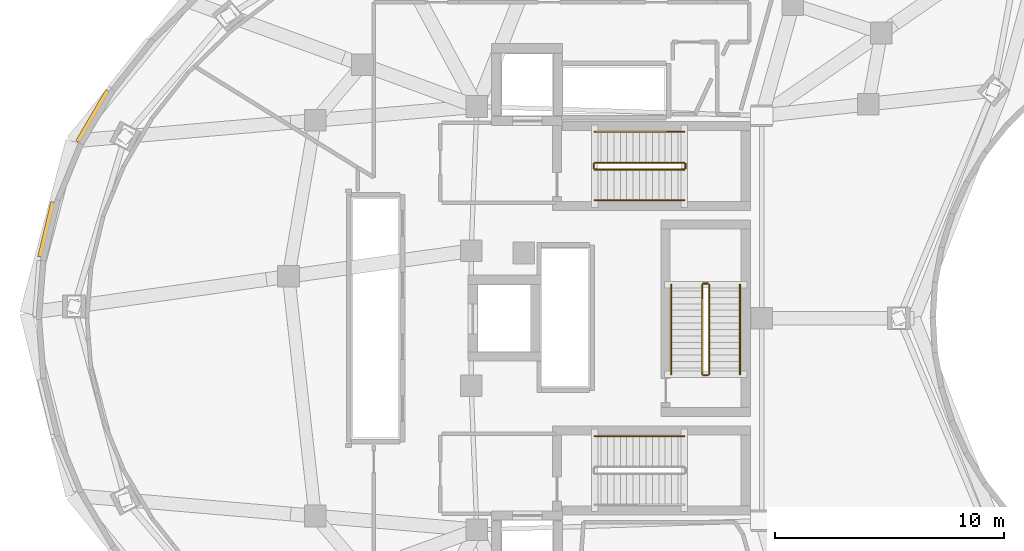
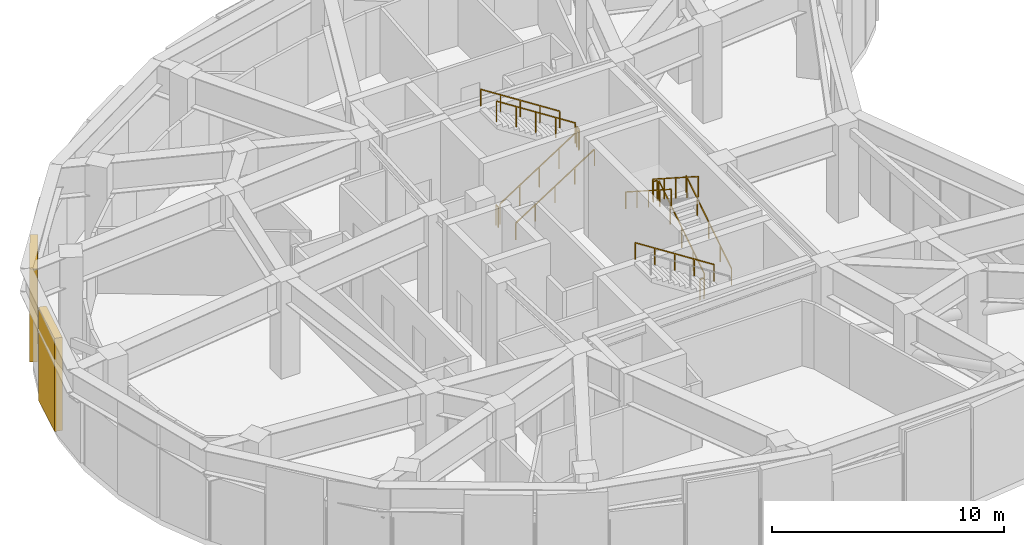
# One storey, part 9 of 10: 13 railings, 2 shading devices.
"""IFC4 building model written with IfcOpenShell, lengths in metres."""

import ifcopenshell
import ifcopenshell.guid

model = None  # the IFC model being written
_history = None  # IfcOwnerHistory: only IFC2X3 demands one
_inside = {}  # id of a spatial element -> (the spatial element, [elements in it])
_under = {}  # id of a project, library or spatial element -> (it, [spatial elements below it])
_declared = {}  # id of a project -> (the project, [libraries it declares])
_typed = {}  # id of a type object -> (the type object, [elements of that type])
_made_of = {}  # id of a material, layer set ... -> (it, [elements and type objects made of it])


def new_model(schema):
    """Start an empty IFC model of exactly this schema.

    Asked for "IFC4X3", IfcOpenShell would pick the latest addendum, in which some entities
    have other attributes; the version numbers below select the first issue.
    IFC2X3 requires an IfcOwnerHistory on every rooted entity: one is made here for all.
    """
    global model, _history
    if schema == "IFC4X3":
        model = ifcopenshell.file(schema_version=(4, 3, 0, 0))
    else:
        model = ifcopenshell.file(schema=schema)
    _inside.clear()
    _under.clear()
    _declared.clear()
    _typed.clear()
    _made_of.clear()
    _history = None
    if model.schema == "IFC2X3":
        org = make("IfcOrganization", Name="unknown")
        user = make(
            "IfcPersonAndOrganization",
            ThePerson=make("IfcPerson", FamilyName="unknown"),
            TheOrganization=org,
        )
        app = make(
            "IfcApplication",
            ApplicationDeveloper=org,
            Version="unknown",
            ApplicationFullName="unknown",
            ApplicationIdentifier="unknown",
        )
        _history = make(
            "IfcOwnerHistory",
            OwningUser=user,
            OwningApplication=app,
            ChangeAction="ADDED",
            CreationDate=0,
        )
    return model


def make(cls, **values):
    """One entity of the class cls with the attributes given. An attribute that is None is left unset."""
    return model.create_entity(
        cls, **{name: value for name, value in values.items() if value is not None}
    )


def rooted(cls, **values):
    """An entity with a GlobalId (a new one), such as an element, a storey or a relation."""
    return make(cls, GlobalId=ifcopenshell.guid.new(), OwnerHistory=_history, **values)


def si_unit(unit_type, name, prefix=None):
    """IfcSIUnit, for example si_unit("LENGTHUNIT", "METRE", prefix="MILLI")."""
    return make("IfcSIUnit", UnitType=unit_type, Prefix=prefix, Name=name)


def assignment(units):
    """IfcUnitAssignment: the units of a project."""
    return None if units is None else make("IfcUnitAssignment", Units=units)


def point(xyz):
    """IfcCartesianPoint."""
    return None if xyz is None else make("IfcCartesianPoint", Coordinates=xyz)


def direction(xyz):
    """IfcDirection."""
    return None if xyz is None else make("IfcDirection", DirectionRatios=xyz)


def frame(location, z_axis=None, x_axis=None):
    """IfcAxis2Placement3D, a coordinate frame: its origin and axes. An axis left out is left unset."""
    return make(
        "IfcAxis2Placement3D",
        Location=point(location),
        Axis=direction(z_axis),
        RefDirection=direction(x_axis),
    )


def frame_2d(location, x_axis=None):
    """IfcAxis2Placement2D, a coordinate frame in the plane: its origin and x axis."""
    return make(
        "IfcAxis2Placement2D", Location=point(location), RefDirection=direction(x_axis)
    )


def origin():
    """The frame at (0, 0, 0) with its axes left unset."""
    return frame((0.0, 0.0, 0.0))


def origin_2d():
    """The frame at (0, 0) in the plane with its x axis left unset."""
    return frame_2d((0.0, 0.0))


def place(relative_to, where):
    """IfcLocalPlacement: puts the frame where relative to a parent placement (None: the world)."""
    return make(
        "IfcLocalPlacement", PlacementRelTo=relative_to, RelativePlacement=where
    )


def context(
    kind, dimensions, precision=None, world=None, true_north=None, identifier=None
):
    """IfcGeometricRepresentationContext, for example the 3D "Model" context."""
    return make(
        "IfcGeometricRepresentationContext",
        ContextIdentifier=identifier,
        ContextType=kind,
        CoordinateSpaceDimension=dimensions,
        Precision=precision,
        WorldCoordinateSystem=world,
        TrueNorth=true_north,
    )


def subcontext(parent, identifier, kind, view, scale=None):
    """IfcGeometricRepresentationSubContext, for example "Body" below "Model"."""
    return make(
        "IfcGeometricRepresentationSubContext",
        ContextIdentifier=identifier,
        ContextType=kind,
        ParentContext=parent,
        TargetScale=scale,
        TargetView=view,
    )


def project(units=None, contexts=None):
    """IfcProject with its units and contexts."""
    return rooted(
        "IfcProject",
        Name="project",
        RepresentationContexts=contexts,
        UnitsInContext=assignment(units),
    )


def spatial(cls, under=None, at=None, **own):
    """A site, building, storey or space (cls), placed at a placement, below another one or the project."""
    s = rooted(cls, ObjectPlacement=at, **own)
    if under is not None:
        _under.setdefault(under.id(), (under, []))[1].append(s)
    return s


def profile(cls, at=None, kind="AREA", **sizes):
    """A parametric profile (cls). Its sizes go by their IFC names, for example OverallWidth=200.0."""
    return make(cls, ProfileType=kind, Position=at, **sizes)


def rectangle(**sizes):
    """IfcRectangleProfileDef."""
    return profile("IfcRectangleProfileDef", **sizes)


def extrude(swept, where, along, depth):
    """IfcExtrudedAreaSolid: the profile swept, set in the frame where, extruded along a direction by depth."""
    return make(
        "IfcExtrudedAreaSolid",
        SweptArea=swept,
        Position=where,
        ExtrudedDirection=direction(along),
        Depth=depth,
    )


def shape(context_of_items, identifier, shape_type, items):
    """IfcShapeRepresentation: the items that make up one representation, for example the "Body"."""
    return make(
        "IfcShapeRepresentation",
        ContextOfItems=context_of_items,
        RepresentationIdentifier=identifier,
        RepresentationType=shape_type,
        Items=items,
    )


def material(Name=None, Category=None):
    """IfcMaterial."""
    return make("IfcMaterial", Name=Name, Category=Category)


def layer(
    of_material, thickness, ventilated=None, Name=None, Category=None, Priority=None
):
    """IfcMaterialLayer: one layer of a wall or slab, of a material (None: an air gap)."""
    return make(
        "IfcMaterialLayer",
        Material=of_material,
        LayerThickness=thickness,
        IsVentilated=ventilated,
        Name=Name,
        Category=Category,
        Priority=Priority,
    )


def layer_set(layers, Name=None):
    """IfcMaterialLayerSet."""
    return make("IfcMaterialLayerSet", MaterialLayers=layers, LayerSetName=Name)


def made_of(thing, what):
    """Note that an element or type object is made of a material, layer set ...; save() writes the relation."""
    if what is not None:
        _made_of.setdefault(what.id(), (what, []))[1].append(thing)
    return thing


def type_object(cls, material=None, **own):
    """A type object (cls), such as IfcWallType, which elements share."""
    return made_of(rooted(cls, **own), material)


def element(
    cls,
    number,
    at=None,
    inside=None,
    cuts=None,
    type_object=None,
    material=None,
    context=None,
    identifier="Body",
    shape_type=None,
    held_by="IfcProductDefinitionShape",
    body=None,
    shapes=None,
    **own,
):
    """One element of the class cls, such as IfcWall. Its Tag is "e" and its number.

    at: its placement. inside: the storey or other place that contains it. cuts: it is an
    opening in that element (IfcRelVoidsElement). A single representation is given by context,
    identifier, shape_type and body (its items); several are given by shapes. held_by: the class
    of the entity that holds the representations. save() writes the other relations.
    """
    e = rooted(cls, Tag="e%d" % number, ObjectPlacement=at, **own)
    if body is not None:
        shapes = [shape(context, identifier, shape_type, body)]
    if shapes is not None:
        e.Representation = make(held_by, Representations=shapes)
    if inside is not None:
        _inside.setdefault(inside.id(), (inside, []))[1].append(e)
    if cuts is not None:
        rooted(
            "IfcRelVoidsElement", RelatingBuildingElement=cuts, RelatedOpeningElement=e
        )
    if type_object is not None:
        _typed.setdefault(type_object.id(), (type_object, []))[1].append(e)
    return made_of(e, material)


def aggregate(whole, parts):
    """IfcRelAggregates: a whole, such as a stair, and the parts it consists of."""
    return rooted("IfcRelAggregates", RelatingObject=whole, RelatedObjects=parts)


def save(model, path):
    """Write the relations noted so far, then the file.

    IfcRelAggregates (storeys below a building ...), IfcRelContainedInSpatialStructure (elements
    in a storey), IfcRelDefinesByType, IfcRelAssociatesMaterial and IfcRelDeclares: one each for
    every whole, place, type object, material and project.
    """
    for whole, parts in _under.values():
        aggregate(whole, parts)
    for where, things in _inside.values():
        rooted(
            "IfcRelContainedInSpatialStructure",
            RelatedElements=things,
            RelatingStructure=where,
        )
    for kind, things in _typed.values():
        rooted("IfcRelDefinesByType", RelatedObjects=things, RelatingType=kind)
    for what, things in _made_of.values():
        rooted("IfcRelAssociatesMaterial", RelatedObjects=things, RelatingMaterial=what)
    for by, libraries in _declared.values():
        rooted("IfcRelDeclares", RelatingContext=by, RelatedDefinitions=libraries)
    model.write(path)


model = new_model("IFC4")

# Units and contexts
model_context = context("Model", 3, precision=1e-05, world=origin(), true_north=direction((0.0, 1.0)))
body_context = subcontext(model_context, "Body", "Model", "MODEL_VIEW")
ifc_project = project(units=[si_unit("LENGTHUNIT", "METRE"), si_unit("AREAUNIT", "SQUARE_METRE"), si_unit("VOLUMEUNIT", "CUBIC_METRE"), si_unit("PLANEANGLEUNIT", "RADIAN"), si_unit("MASSUNIT", "GRAM", prefix="KILO")], contexts=[model_context])

# Site, building, storey
site_placement = place(None, origin())
site = spatial("IfcSite", under=ifc_project, at=site_placement, CompositionType="ELEMENT")
building_placement = place(site_placement, origin())
building = spatial("IfcBuilding", under=site, at=building_placement, Name="Korentha Bioscience Tower", CompositionType="ELEMENT")
storey_placement = place(building_placement, frame((0.0, 0.0, 213.0)))
storey = spatial("IfcBuildingStorey", under=building, at=storey_placement, Name="L49", CompositionType="ELEMENT", Elevation=213.0)

# Shading devices
ifc_material_1 = material(Name="Powder-Coated Aluminium Louvre", Category="aluminium")
ifc_layer = layer(ifc_material_1, 0.1201171875, Name="Powder-Coated Aluminium Louvre")
ifc_layer_set = layer_set([ifc_layer], Name="Powder-Coated Aluminium Louvre (LV-350)")
shading_device_type = type_object("IfcShadingDeviceType", Name="Acoustic Weatherproof Aluminium Plant Louvre 350", PredefinedType="USERDEFINED", material=ifc_layer_set)
shading_device_1_placement = place(storey_placement, frame((8.380126953125, 35.795166015625, 0.10009765625), z_axis=(0.0, 0.0, 1.0), x_axis=(-0.508052821431, -0.861325914295, 0.0)))
element("IfcShadingDevice", 1, at=shading_device_1_placement, inside=storey, type_object=shading_device_type, Name="L49 Acoustic Plant Louvre 15", ObjectType="LOUVRE", PredefinedType="USERDEFINED", context=body_context, shape_type="SweptSolid", body=[
    extrude(rectangle(XDim=2.589599609375, YDim=0.35009765625, at=origin_2d()), origin(), (0.0, 0.0, 1.0), 4.89990234375),
])
shading_device_2_placement = place(storey_placement, frame((6.364501953125, 30.86181640625, 0.10009765625), z_axis=(0.0, 0.0, 1.0), x_axis=(-0.233643779701, -0.972322263556, 0.0)))
element("IfcShadingDevice", 2, at=shading_device_2_placement, inside=storey, type_object=shading_device_type, Name="L49 Acoustic Plant Louvre 17", ObjectType="LOUVRE", PredefinedType="USERDEFINED", context=body_context, shape_type="SweptSolid", body=[
    extrude(rectangle(XDim=2.46533203125, YDim=0.35009765625, at=origin_2d()), origin(), (0.0, 0.0, 1.0), 4.89990234375),
])

# Railings
ifc_material_2 = material(Name="Stainless Steel 304", Category="steel")
railing_type_1 = type_object("IfcRailingType", Name="Brushed Stainless Stair Handrail 900", PredefinedType="HANDRAIL", material=ifc_material_2)
railing_1_placement = place(storey_placement, frame((30.25, 32.14990234375, 0.179931640625)))
element("IfcRailing", 3, at=railing_1_placement, inside=storey, type_object=railing_type_1, Name="L49 ST-1 stair handrail 1", PredefinedType="HANDRAIL", context=body_context, shape_type="SweptSolid", body=[
    extrude(rectangle(XDim=0.048095703125, YDim=0.048095703125, at=origin_2d()), frame((0.0, 0.0, 0.8759765625), z_axis=(0.841171666519, 0.0, 0.540768182723), x_axis=(0.0, 1.0, 0.0)), (0.0, 0.0, 1.0), 4.66015625),
    extrude(rectangle(XDim=0.0419921875, YDim=0.0419921875, at=origin_2d()), origin(), (0.0, 0.0, 1.0), 0.851806640625),
    extrude(rectangle(XDim=0.0419921875, YDim=0.0419921875, at=origin_2d()), frame((0.97998046875, 0.0, 0.6298828125)), (0.0, 0.0, 1.0), 0.851806640625),
    extrude(rectangle(XDim=0.0419921875, YDim=0.0419921875, at=origin_2d()), frame((1.9599609375, 0.0, 1.260009765625)), (0.0, 0.0, 1.0), 0.851806640625),
    extrude(rectangle(XDim=0.0419921875, YDim=0.0419921875, at=origin_2d()), frame((2.93994140625, 0.0, 1.89013671875)), (0.0, 0.0, 1.0), 0.851806640625),
    extrude(rectangle(XDim=0.0419921875, YDim=0.0419921875, at=origin_2d()), frame((3.919921875, 0.0, 2.52001953125)), (0.0, 0.0, 1.0), 0.851806640625),
])
for number, where, name in (
    (4, (34.169921875, 35.14990234375, 2.8798828125), "L49 ST-1 stair handrail 2"),
    (5, (34.169921875, 21.85009765625, 2.8798828125), "L49 ST-2 stair handrail 2"),
):
    element("IfcRailing", number, at=place(storey_placement, frame(where)), inside=storey, type_object=railing_type_1, Name=name, PredefinedType="HANDRAIL", context=body_context, shape_type="SweptSolid", body=[
        extrude(rectangle(XDim=0.048095703125, YDim=0.048095703125, at=origin_2d()), frame((0.0, 0.0, 0.8759765625), z_axis=(-0.841171666519, 0.0, 0.540768182723), x_axis=(0.0, -1.0, 0.0)), (0.0, 0.0, 1.0), 4.66015625),
        extrude(rectangle(XDim=0.0419921875, YDim=0.0419921875, at=origin_2d()), origin(), (0.0, 0.0, 1.0), 0.851806640625),
        extrude(rectangle(XDim=0.0419921875, YDim=0.0419921875, at=origin_2d()), frame((-0.97998046875, 0.0, 0.6298828125)), (0.0, 0.0, 1.0), 0.851806640625),
        extrude(rectangle(XDim=0.0419921875, YDim=0.0419921875, at=origin_2d()), frame((-1.9599609375, 0.0, 1.260009765625)), (0.0, 0.0, 1.0), 0.851806640625),
        extrude(rectangle(XDim=0.0419921875, YDim=0.0419921875, at=origin_2d()), frame((-2.93994140625, 0.0, 1.89013671875)), (0.0, 0.0, 1.0), 0.851806640625),
        extrude(rectangle(XDim=0.0419921875, YDim=0.0419921875, at=origin_2d()), frame((-3.919921875, 0.0, 2.52001953125)), (0.0, 0.0, 1.0), 0.851806640625),
    ])
railing_2_placement = place(storey_placement, frame((36.60009765625, 24.550048828125, 0.179931640625)))
element("IfcRailing", 6, at=railing_2_placement, inside=storey, type_object=railing_type_1, Name="L49 ST-3 stair handrail 1", PredefinedType="HANDRAIL", context=body_context, shape_type="SweptSolid", body=[
    extrude(rectangle(XDim=0.048095703125, YDim=0.048095703125, at=origin_2d()), frame((0.0, 0.0, 0.8759765625), z_axis=(0.0, 0.841171666519, 0.540768182723), x_axis=(-1.0, 0.0, 0.0)), (0.0, 0.0, 1.0), 4.66015625),
    extrude(rectangle(XDim=0.0419921875, YDim=0.0419921875, at=origin_2d()), origin(), (0.0, 0.0, 1.0), 0.851806640625),
    extrude(rectangle(XDim=0.0419921875, YDim=0.0419921875, at=origin_2d()), frame((0.0, 0.97998046875, 0.6298828125)), (0.0, 0.0, 1.0), 0.851806640625),
    extrude(rectangle(XDim=0.0419921875, YDim=0.0419921875, at=origin_2d()), frame((0.0, 1.9599609375, 1.260009765625)), (0.0, 0.0, 1.0), 0.851806640625),
    extrude(rectangle(XDim=0.0419921875, YDim=0.0419921875, at=origin_2d()), frame((0.0, 2.93994140625, 1.89013671875)), (0.0, 0.0, 1.0), 0.851806640625),
    extrude(rectangle(XDim=0.0419921875, YDim=0.0419921875, at=origin_2d()), frame((0.0, 3.919921875, 2.52001953125)), (0.0, 0.0, 1.0), 0.851806640625),
])
railing_3_placement = place(storey_placement, frame((33.60009765625, 28.469970703125, 2.8798828125)))
element("IfcRailing", 7, at=railing_3_placement, inside=storey, type_object=railing_type_1, Name="L49 ST-3 stair handrail 2", PredefinedType="HANDRAIL", context=body_context, shape_type="SweptSolid", body=[
    extrude(rectangle(XDim=0.048095703125, YDim=0.048095703125, at=origin_2d()), frame((0.0, 0.0, 0.8759765625), z_axis=(0.0, -0.841171666519, 0.540768182723), x_axis=(1.0, 0.0, 0.0)), (0.0, 0.0, 1.0), 4.66015625),
    extrude(rectangle(XDim=0.0419921875, YDim=0.0419921875, at=origin_2d()), origin(), (0.0, 0.0, 1.0), 0.851806640625),
    extrude(rectangle(XDim=0.0419921875, YDim=0.0419921875, at=origin_2d()), frame((0.0, -0.97998046875, 0.6298828125)), (0.0, 0.0, 1.0), 0.851806640625),
    extrude(rectangle(XDim=0.0419921875, YDim=0.0419921875, at=origin_2d()), frame((0.0, -1.9599609375, 1.260009765625)), (0.0, 0.0, 1.0), 0.851806640625),
    extrude(rectangle(XDim=0.0419921875, YDim=0.0419921875, at=origin_2d()), frame((0.0, -2.93994140625, 1.89013671875)), (0.0, 0.0, 1.0), 0.851806640625),
    extrude(rectangle(XDim=0.0419921875, YDim=0.0419921875, at=origin_2d()), frame((0.0, -3.919921875, 2.52001953125)), (0.0, 0.0, 1.0), 0.851806640625),
])
ifc_material_3 = material(Name="Painted Steel S275", Category="steel")
railing_type_2 = type_object("IfcRailingType", Name="Painted Steel Stair Well Guardrail 1100", PredefinedType="GUARDRAIL", material=ifc_material_3)
railing_4_placement = place(storey_placement, frame((30.25, 33.5, 0.179931640625)))
element("IfcRailing", 8, at=railing_4_placement, inside=storey, type_object=railing_type_2, Name="L49 ST-1 stair guard 1", PredefinedType="GUARDRAIL", context=body_context, shape_type="SweptSolid", body=[
    extrude(rectangle(XDim=0.048095703125, YDim=0.048095703125, at=origin_2d()), frame((0.0, 0.0, 1.076171875), z_axis=(0.841171666519, 0.0, 0.540768182723), x_axis=(0.0, 1.0, 0.0)), (0.0, 0.0, 1.0), 4.66015625),
    extrude(rectangle(XDim=0.0419921875, YDim=0.0419921875, at=origin_2d()), origin(), (0.0, 0.0, 1.0), 1.052001953125),
    extrude(rectangle(XDim=0.0419921875, YDim=0.0419921875, at=origin_2d()), frame((0.97998046875, 0.0, 0.6298828125)), (0.0, 0.0, 1.0), 1.052001953125),
    extrude(rectangle(XDim=0.0419921875, YDim=0.0419921875, at=origin_2d()), frame((1.9599609375, 0.0, 1.260009765625)), (0.0, 0.0, 1.0), 1.052001953125),
    extrude(rectangle(XDim=0.0419921875, YDim=0.0419921875, at=origin_2d()), frame((2.93994140625, 0.0, 1.89013671875)), (0.0, 0.0, 1.0), 1.052001953125),
    extrude(rectangle(XDim=0.0419921875, YDim=0.0419921875, at=origin_2d()), frame((3.919921875, 0.0, 2.52001953125)), (0.0, 0.0, 1.0), 1.052001953125),
])
railing_5_placement = place(storey_placement, frame((34.219970703125, 33.550048828125, 2.699951171875)))
element("IfcRailing", 9, at=railing_5_placement, inside=storey, type_object=railing_type_2, Name="L49 ST-1 stair guard 2", PredefinedType="GUARDRAIL", context=body_context, shape_type="SweptSolid", body=[
    extrude(rectangle(XDim=0.048095703125, YDim=0.048095703125, at=origin_2d()), frame((0.0, 0.0, 1.076171875), z_axis=(0.0, 1.0, 0.0), x_axis=(-1.0, 0.0, 0.0)), (0.0, 0.0, 1.0), 0.199951171875),
    extrude(rectangle(XDim=0.0419921875, YDim=0.0419921875, at=origin_2d()), origin(), (0.0, 0.0, 1.0), 1.052001953125),
    extrude(rectangle(XDim=0.0419921875, YDim=0.0419921875, at=origin_2d()), frame((0.0, 0.199951171875, 0.0)), (0.0, 0.0, 1.0), 1.052001953125),
])
railing_6_placement = place(storey_placement, frame((34.169921875, 33.800048828125, 2.8798828125)))
element("IfcRailing", 10, at=railing_6_placement, inside=storey, type_object=railing_type_2, Name="L49 ST-1 stair guard 3", PredefinedType="GUARDRAIL", context=body_context, shape_type="SweptSolid", body=[
    extrude(rectangle(XDim=0.048095703125, YDim=0.048095703125, at=origin_2d()), frame((0.0, 0.0, 1.076171875), z_axis=(-0.841171666519, 0.0, 0.540768182723), x_axis=(0.0, -1.0, 0.0)), (0.0, 0.0, 1.0), 4.66015625),
    extrude(rectangle(XDim=0.0419921875, YDim=0.0419921875, at=origin_2d()), origin(), (0.0, 0.0, 1.0), 1.052001953125),
    extrude(rectangle(XDim=0.0419921875, YDim=0.0419921875, at=origin_2d()), frame((-0.97998046875, 0.0, 0.6298828125)), (0.0, 0.0, 1.0), 1.052001953125),
    extrude(rectangle(XDim=0.0419921875, YDim=0.0419921875, at=origin_2d()), frame((-1.9599609375, 0.0, 1.260009765625)), (0.0, 0.0, 1.0), 1.052001953125),
    extrude(rectangle(XDim=0.0419921875, YDim=0.0419921875, at=origin_2d()), frame((-2.93994140625, 0.0, 1.89013671875)), (0.0, 0.0, 1.0), 1.052001953125),
    extrude(rectangle(XDim=0.0419921875, YDim=0.0419921875, at=origin_2d()), frame((-3.919921875, 0.0, 2.52001953125)), (0.0, 0.0, 1.0), 1.052001953125),
])
railing_7_placement = place(storey_placement, frame((30.199951171875, 33.550048828125, 0.0)))
element("IfcRailing", 11, at=railing_7_placement, inside=storey, type_object=railing_type_2, Name="L49 ST-1 stair guard 4", PredefinedType="GUARDRAIL", context=body_context, shape_type="SweptSolid", body=[
    extrude(rectangle(XDim=0.048095703125, YDim=0.048095703125, at=origin_2d()), frame((0.0, 0.0, 1.076171875), z_axis=(0.0, 1.0, 0.0), x_axis=(-1.0, 0.0, 0.0)), (0.0, 0.0, 1.0), 0.199951171875),
    extrude(rectangle(XDim=0.0419921875, YDim=0.0419921875, at=origin_2d()), origin(), (0.0, 0.0, 1.0), 1.052001953125),
    extrude(rectangle(XDim=0.0419921875, YDim=0.0419921875, at=origin_2d()), frame((0.0, 0.199951171875, 0.0)), (0.0, 0.0, 1.0), 1.052001953125),
])
railing_8_placement = place(storey_placement, frame((35.25, 24.550048828125, 0.179931640625)))
element("IfcRailing", 12, at=railing_8_placement, inside=storey, type_object=railing_type_2, Name="L49 ST-3 stair guard 1", PredefinedType="GUARDRAIL", context=body_context, shape_type="SweptSolid", body=[
    extrude(rectangle(XDim=0.048095703125, YDim=0.048095703125, at=origin_2d()), frame((0.0, 0.0, 1.076171875), z_axis=(0.0, 0.841171666519, 0.540768182723), x_axis=(-1.0, 0.0, 0.0)), (0.0, 0.0, 1.0), 4.66015625),
    extrude(rectangle(XDim=0.0419921875, YDim=0.0419921875, at=origin_2d()), origin(), (0.0, 0.0, 1.0), 1.052001953125),
    extrude(rectangle(XDim=0.0419921875, YDim=0.0419921875, at=origin_2d()), frame((0.0, 0.97998046875, 0.6298828125)), (0.0, 0.0, 1.0), 1.052001953125),
    extrude(rectangle(XDim=0.0419921875, YDim=0.0419921875, at=origin_2d()), frame((0.0, 1.9599609375, 1.260009765625)), (0.0, 0.0, 1.0), 1.052001953125),
    extrude(rectangle(XDim=0.0419921875, YDim=0.0419921875, at=origin_2d()), frame((0.0, 2.93994140625, 1.89013671875)), (0.0, 0.0, 1.0), 1.052001953125),
    extrude(rectangle(XDim=0.0419921875, YDim=0.0419921875, at=origin_2d()), frame((0.0, 3.919921875, 2.52001953125)), (0.0, 0.0, 1.0), 1.052001953125),
])
railing_9_placement = place(storey_placement, frame((35.199951171875, 28.52001953125, 2.699951171875)))
element("IfcRailing", 13, at=railing_9_placement, inside=storey, type_object=railing_type_2, Name="L49 ST-3 stair guard 2", PredefinedType="GUARDRAIL", context=body_context, shape_type="SweptSolid", body=[
    extrude(rectangle(XDim=0.048095703125, YDim=0.048095703125, at=origin_2d()), frame((0.0, 0.0, 1.076171875), z_axis=(-1.0, 0.0, 0.0), x_axis=(0.0, -1.0, 0.0)), (0.0, 0.0, 1.0), 0.199951171875),
    extrude(rectangle(XDim=0.0419921875, YDim=0.0419921875, at=origin_2d()), origin(), (0.0, 0.0, 1.0), 1.052001953125),
    extrude(rectangle(XDim=0.0419921875, YDim=0.0419921875, at=origin_2d()), frame((-0.199951171875, 0.0, 0.0)), (0.0, 0.0, 1.0), 1.052001953125),
])
railing_10_placement = place(storey_placement, frame((34.949951171875, 28.469970703125, 2.8798828125)))
element("IfcRailing", 14, at=railing_10_placement, inside=storey, type_object=railing_type_2, Name="L49 ST-3 stair guard 3", PredefinedType="GUARDRAIL", context=body_context, shape_type="SweptSolid", body=[
    extrude(rectangle(XDim=0.048095703125, YDim=0.048095703125, at=origin_2d()), frame((0.0, 0.0, 1.076171875), z_axis=(0.0, -0.841171666519, 0.540768182723), x_axis=(1.0, 0.0, 0.0)), (0.0, 0.0, 1.0), 4.66015625),
    extrude(rectangle(XDim=0.0419921875, YDim=0.0419921875, at=origin_2d()), origin(), (0.0, 0.0, 1.0), 1.052001953125),
    extrude(rectangle(XDim=0.0419921875, YDim=0.0419921875, at=origin_2d()), frame((0.0, -0.97998046875, 0.6298828125)), (0.0, 0.0, 1.0), 1.052001953125),
    extrude(rectangle(XDim=0.0419921875, YDim=0.0419921875, at=origin_2d()), frame((0.0, -1.9599609375, 1.260009765625)), (0.0, 0.0, 1.0), 1.052001953125),
    extrude(rectangle(XDim=0.0419921875, YDim=0.0419921875, at=origin_2d()), frame((0.0, -2.93994140625, 1.89013671875)), (0.0, 0.0, 1.0), 1.052001953125),
    extrude(rectangle(XDim=0.0419921875, YDim=0.0419921875, at=origin_2d()), frame((0.0, -3.919921875, 2.52001953125)), (0.0, 0.0, 1.0), 1.052001953125),
])
railing_11_placement = place(storey_placement, frame((35.199951171875, 24.5, 0.0)))
element("IfcRailing", 15, at=railing_11_placement, inside=storey, type_object=railing_type_2, Name="L49 ST-3 stair guard 4", PredefinedType="GUARDRAIL", context=body_context, shape_type="SweptSolid", body=[
    extrude(rectangle(XDim=0.048095703125, YDim=0.048095703125, at=origin_2d()), frame((0.0, 0.0, 1.076171875), z_axis=(-1.0, 0.0, 0.0), x_axis=(0.0, -1.0, 0.0)), (0.0, 0.0, 1.0), 0.199951171875),
    extrude(rectangle(XDim=0.0419921875, YDim=0.0419921875, at=origin_2d()), origin(), (0.0, 0.0, 1.0), 1.052001953125),
    extrude(rectangle(XDim=0.0419921875, YDim=0.0419921875, at=origin_2d()), frame((-0.199951171875, 0.0, 0.0)), (0.0, 0.0, 1.0), 1.052001953125),
])

save(model, "model.ifc")
